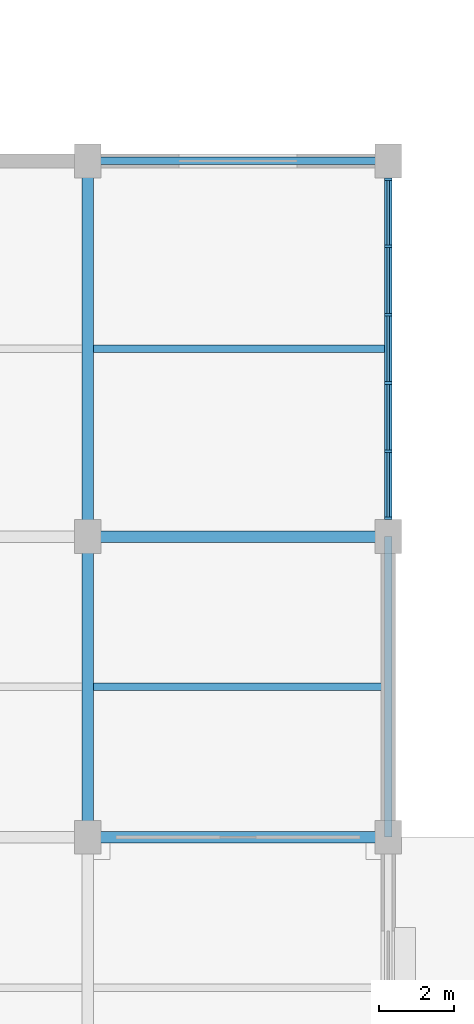
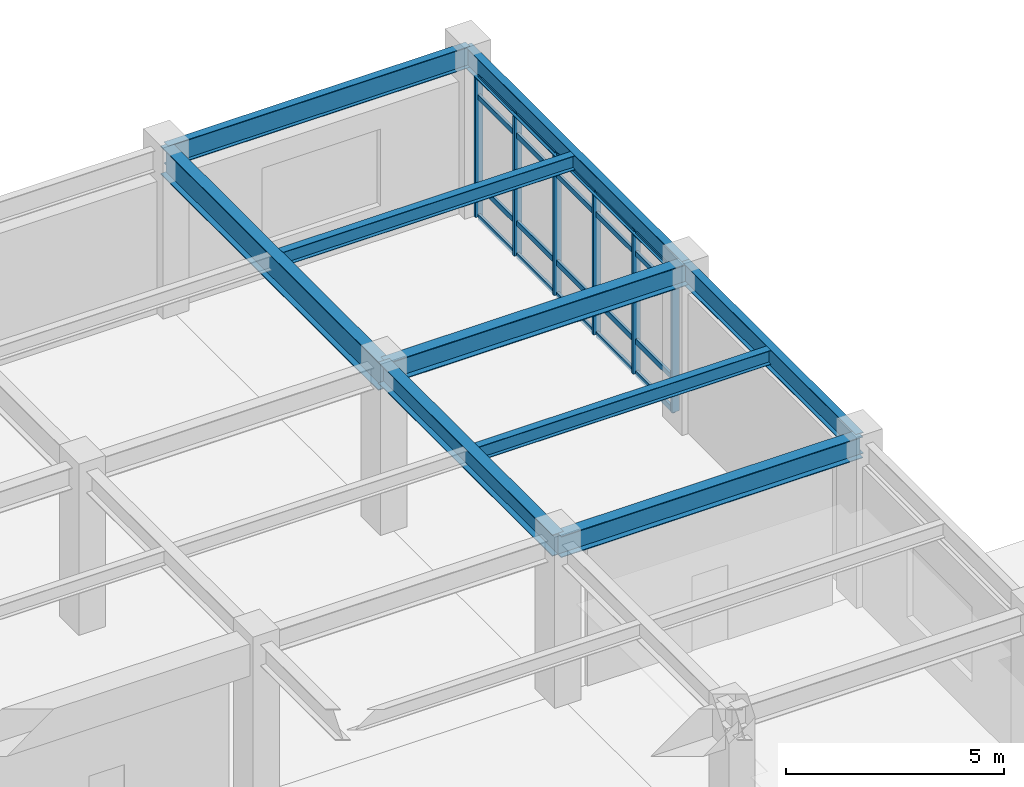
# One storey, part 55 of 117: 26 members, 9 beams, 1 element without a shape of its own.
"""IFC4 building model written with IfcOpenShell, lengths in metres."""

from ifc_helpers import new_model, si_unit, direction, frame, origin, origin_2d, place, context, subcontext, project, spatial, rectangle, i_section, extrude, material, layer, layer_set, material_profile, profile_set, type_object, element, aggregate, save


model = new_model("IFC4")

# Units and contexts
model_context = context("Model", 3, precision=1e-05, world=origin(), true_north=direction((0.0, 1.0)))
body_context = subcontext(model_context, "Body", "Model", "MODEL_VIEW")
ifc_project = project(units=[si_unit("LENGTHUNIT", "METRE"), si_unit("AREAUNIT", "SQUARE_METRE"), si_unit("VOLUMEUNIT", "CUBIC_METRE"), si_unit("PLANEANGLEUNIT", "RADIAN"), si_unit("MASSUNIT", "GRAM", prefix="KILO")], contexts=[model_context])

# Site, building, storey
site_placement = place(None, origin())
site = spatial("IfcSite", under=ifc_project, at=site_placement, CompositionType="ELEMENT")
building_placement = place(site_placement, origin())
building = spatial("IfcBuilding", under=site, at=building_placement, Name="Haebicheon Civic Stadium", CompositionType="ELEMENT")
storey_placement = place(building_placement, frame((0.0, 0.0, 4.800048828125)))
storey = spatial("IfcBuildingStorey", under=building, at=storey_placement, Name="L02", CompositionType="ELEMENT", Elevation=4.800048828125)

# Beams
ifc_material_1 = material(Name="Steel SM355 (S355)", Category="steel")
ifc_material_profile_1 = material_profile(ifc_material_1, i_section(OverallWidth=0.300048828125, OverallDepth=0.60009765625, WebThickness=0.011962890625, FlangeThickness=0.02001953125, at=origin_2d()), Name="H-600x300x12x20")
ifc_profile_set_1 = profile_set([ifc_material_profile_1], Name="Steel SM355 (S355)")
beam_type_1 = type_object("IfcBeamType", Name="BM-ST-H600A", PredefinedType="BEAM", material=ifc_profile_set_1)
for number, where, z_axis, x_axis, name in (
    (1, (192.0, 160.0, 4.219970703125), (0.0, 1.0, 0.0), (-1.0, 0.0, 0.0), "L02 girder 25/W-X"),
    (2, (192.0, 160.0, 4.219970703125), (1.0, 0.0, 0.0), (0.0, 1.0, 0.0), "L02 beam W/25-26"),
    (3, (192.0, 168.0, 4.219970703125), (1.0, 0.0, 0.0), (0.0, 1.0, 0.0), "L02 beam X/25-26"),
):
    element("IfcBeam", number, at=place(storey_placement, frame(where, z_axis=z_axis, x_axis=x_axis)), inside=storey, type_object=beam_type_1, material=ifc_profile_set_1, Name=name, PredefinedType="BEAM", context=body_context, shape_type="SweptSolid", body=[
        extrude(i_section(OverallWidth=0.300048828125, OverallDepth=0.60009765625, WebThickness=0.011962890625, FlangeThickness=0.02001953125, at=origin_2d()), origin(), (0.0, 0.0, 1.0), 8.0),
    ])
ifc_material_2 = material(Name="Steel SM490", Category="steel")
ifc_material_profile_2 = material_profile(ifc_material_2, i_section(OverallWidth=0.300048828125, OverallDepth=0.800048828125, WebThickness=0.013916015625, FlangeThickness=0.02587890625, at=origin_2d()), Name="H-800x300x14x26")
ifc_profile_set_2 = profile_set([ifc_material_profile_2], Name="Steel SM490")
beam_type_2 = type_object("IfcBeamType", Name="BM-ST-H800", PredefinedType="BEAM", material=ifc_profile_set_2)
beam_1_placement = place(storey_placement, frame((192.0, 168.0, 4.119873046875), z_axis=(0.0, 1.0, 0.0), x_axis=(-1.0, 0.0, 0.0)))
element("IfcBeam", 4, at=beam_1_placement, inside=storey, type_object=beam_type_2, material=ifc_profile_set_2, Name="L02 girder 25/X-Y", PredefinedType="BEAM", context=body_context, shape_type="SweptSolid", body=[
    extrude(i_section(OverallWidth=0.300048828125, OverallDepth=0.800048828125, WebThickness=0.013916015625, FlangeThickness=0.02587890625, at=origin_2d()), origin(), (0.0, 0.0, 1.0), 10.0),
])

# Curtain wall, members
ifc_material_3 = material(Name="Anodised aluminium and laminated glass", Category="aluminium")
ifc_layer = layer(ifc_material_3, 0.179931640625, Name="Anodised aluminium and laminated glass")
ifc_layer_set = layer_set([ifc_layer], Name="Anodised aluminium and laminated glass")
curtain_wall_type = type_object("IfcCurtainWallType", Name="CW-9100x3910", PredefinedType="NOTDEFINED", material=ifc_layer_set)
curtain_wall_placement = place(storey_placement, origin())
curtain_wall = element("IfcCurtainWall", 5, at=curtain_wall_placement, inside=storey, type_object=curtain_wall_type, material=ifc_layer_set, Name="L02 unitised curtain wall 062", PredefinedType="NOTDEFINED")
ifc_material_4 = material(Name="Anodised aluminium 6063-T6", Category="aluminium")
ifc_material_profile_3 = material_profile(ifc_material_4, rectangle(XDim=0.070068359375, YDim=0.199951171875, at=origin_2d()), Name="ALU-MULL-70x200")
ifc_profile_set_3 = profile_set([ifc_material_profile_3], Name="Anodised aluminium 6063-T6")
member_type_1 = type_object("IfcMemberType", Name="CWM-200x70", PredefinedType="MULLION", material=ifc_profile_set_3)
member_1_placement = place(storey_placement, frame((200.0, 168.485107421875, 0.0), z_axis=(0.0, 0.0, 1.0), x_axis=(0.0, 1.0, 0.0)))
member_1 = element("IfcMember", 6, at=member_1_placement, type_object=member_type_1, material=ifc_profile_set_3, Name="CW-L02-062 vertical mullion 1", PredefinedType="MULLION", context=body_context, shape_type="SweptSolid", body=[
    extrude(rectangle(XDim=0.070068359375, YDim=0.199951171875, at=origin_2d()), origin(), (0.0, 0.0, 1.0), 3.909912109375),
])
member_2_placement = place(storey_placement, frame((200.0, 170.27001953125, 0.0), z_axis=(0.0, 0.0, 1.0), x_axis=(0.0, 1.0, 0.0)))
member_2 = element("IfcMember", 7, at=member_2_placement, type_object=member_type_1, material=ifc_profile_set_3, Name="CW-L02-062 vertical mullion 2", PredefinedType="MULLION", context=body_context, shape_type="SweptSolid", body=[
    extrude(rectangle(XDim=0.070068359375, YDim=0.199951171875, at=origin_2d()), origin(), (0.0, 0.0, 1.0), 3.909912109375),
])
member_3_placement = place(storey_placement, frame((200.0, 172.090087890625, 0.0), z_axis=(0.0, 0.0, 1.0), x_axis=(0.0, 1.0, 0.0)))
member_3 = element("IfcMember", 8, at=member_3_placement, type_object=member_type_1, material=ifc_profile_set_3, Name="CW-L02-062 vertical mullion 3", PredefinedType="MULLION", context=body_context, shape_type="SweptSolid", body=[
    extrude(rectangle(XDim=0.070068359375, YDim=0.199951171875, at=origin_2d()), origin(), (0.0, 0.0, 1.0), 3.909912109375),
])
member_4_placement = place(storey_placement, frame((200.0, 173.909912109375, 0.0), z_axis=(0.0, 0.0, 1.0), x_axis=(0.0, 1.0, 0.0)))
member_4 = element("IfcMember", 9, at=member_4_placement, type_object=member_type_1, material=ifc_profile_set_3, Name="CW-L02-062 vertical mullion 4", PredefinedType="MULLION", context=body_context, shape_type="SweptSolid", body=[
    extrude(rectangle(XDim=0.070068359375, YDim=0.199951171875, at=origin_2d()), origin(), (0.0, 0.0, 1.0), 3.909912109375),
])
member_5_placement = place(storey_placement, frame((200.0, 175.72998046875, 0.0), z_axis=(0.0, 0.0, 1.0), x_axis=(0.0, 1.0, 0.0)))
member_5 = element("IfcMember", 10, at=member_5_placement, type_object=member_type_1, material=ifc_profile_set_3, Name="CW-L02-062 vertical mullion 5", PredefinedType="MULLION", context=body_context, shape_type="SweptSolid", body=[
    extrude(rectangle(XDim=0.070068359375, YDim=0.199951171875, at=origin_2d()), origin(), (0.0, 0.0, 1.0), 3.909912109375),
])
member_6_placement = place(storey_placement, frame((200.0, 177.514892578125, 0.0), z_axis=(0.0, 0.0, 1.0), x_axis=(0.0, 1.0, 0.0)))
member_6 = element("IfcMember", 11, at=member_6_placement, type_object=member_type_1, material=ifc_profile_set_3, Name="CW-L02-062 vertical mullion 6", PredefinedType="MULLION", context=body_context, shape_type="SweptSolid", body=[
    extrude(rectangle(XDim=0.070068359375, YDim=0.199951171875, at=origin_2d()), origin(), (0.0, 0.0, 1.0), 3.909912109375),
])
ifc_material_5 = material(Name="Anodised aluminium 6063-T6", Category="aluminium")
ifc_material_profile_4 = material_profile(ifc_material_5, rectangle(XDim=0.070068359375, YDim=0.14990234375, at=origin_2d()), Name="ALU-TRAN-70x150")
ifc_profile_set_4 = profile_set([ifc_material_profile_4], Name="Anodised aluminium 6063-T6")
member_type_2 = type_object("IfcMemberType", Name="CWT-150x70", PredefinedType="NOTDEFINED", material=ifc_profile_set_4)
member_7_placement = place(storey_placement, frame((200.0, 168.52001953125, 0.0), z_axis=(0.0, 1.0, 0.0), x_axis=(-1.0, 0.0, 0.0)))
member_7 = element("IfcMember", 12, at=member_7_placement, type_object=member_type_2, material=ifc_profile_set_4, Name="CW-L02-062 horizontal transom 1.1", ObjectType="TRANSOM", PredefinedType="USERDEFINED", context=body_context, shape_type="SweptSolid", body=[
    extrude(rectangle(XDim=0.070068359375, YDim=0.14990234375, at=origin_2d()), origin(), (0.0, 0.0, 1.0), 1.715087890625),
])
member_8_placement = place(storey_placement, frame((200.0, 168.52001953125, 0.89990234375), z_axis=(0.0, 1.0, 0.0), x_axis=(-1.0, 0.0, 0.0)))
member_8 = element("IfcMember", 13, at=member_8_placement, type_object=member_type_2, material=ifc_profile_set_4, Name="CW-L02-062 horizontal transom 1.2", ObjectType="TRANSOM", PredefinedType="USERDEFINED", context=body_context, shape_type="SweptSolid", body=[
    extrude(rectangle(XDim=0.070068359375, YDim=0.14990234375, at=origin_2d()), origin(), (0.0, 0.0, 1.0), 1.715087890625),
])
member_9_placement = place(storey_placement, frame((200.0, 168.52001953125, 3.35986328125), z_axis=(0.0, 1.0, 0.0), x_axis=(-1.0, 0.0, 0.0)))
member_9 = element("IfcMember", 14, at=member_9_placement, type_object=member_type_2, material=ifc_profile_set_4, Name="CW-L02-062 horizontal transom 1.3", ObjectType="TRANSOM", PredefinedType="USERDEFINED", context=body_context, shape_type="SweptSolid", body=[
    extrude(rectangle(XDim=0.070068359375, YDim=0.14990234375, at=origin_2d()), origin(), (0.0, 0.0, 1.0), 1.715087890625),
])
member_10_placement = place(storey_placement, frame((200.0, 168.52001953125, 3.909912109375), z_axis=(0.0, 1.0, 0.0), x_axis=(-1.0, 0.0, 0.0)))
member_10 = element("IfcMember", 15, at=member_10_placement, type_object=member_type_2, material=ifc_profile_set_4, Name="CW-L02-062 horizontal transom 1.4", ObjectType="TRANSOM", PredefinedType="USERDEFINED", context=body_context, shape_type="SweptSolid", body=[
    extrude(rectangle(XDim=0.070068359375, YDim=0.14990234375, at=origin_2d()), origin(), (0.0, 0.0, 1.0), 1.715087890625),
])
member_11_placement = place(storey_placement, frame((200.0, 170.304931640625, 0.0), z_axis=(0.0, 1.0, 0.0), x_axis=(-1.0, 0.0, 0.0)))
member_11 = element("IfcMember", 16, at=member_11_placement, type_object=member_type_2, material=ifc_profile_set_4, Name="CW-L02-062 horizontal transom 2.1", ObjectType="TRANSOM", PredefinedType="USERDEFINED", context=body_context, shape_type="SweptSolid", body=[
    extrude(rectangle(XDim=0.070068359375, YDim=0.14990234375, at=origin_2d()), origin(), (0.0, 0.0, 1.0), 1.75),
])
member_12_placement = place(storey_placement, frame((200.0, 170.304931640625, 0.89990234375), z_axis=(0.0, 1.0, 0.0), x_axis=(-1.0, 0.0, 0.0)))
member_12 = element("IfcMember", 17, at=member_12_placement, type_object=member_type_2, material=ifc_profile_set_4, Name="CW-L02-062 horizontal transom 2.2", ObjectType="TRANSOM", PredefinedType="USERDEFINED", context=body_context, shape_type="SweptSolid", body=[
    extrude(rectangle(XDim=0.070068359375, YDim=0.14990234375, at=origin_2d()), origin(), (0.0, 0.0, 1.0), 1.75),
])
member_13_placement = place(storey_placement, frame((200.0, 170.304931640625, 3.35986328125), z_axis=(0.0, 1.0, 0.0), x_axis=(-1.0, 0.0, 0.0)))
member_13 = element("IfcMember", 18, at=member_13_placement, type_object=member_type_2, material=ifc_profile_set_4, Name="CW-L02-062 horizontal transom 2.3", ObjectType="TRANSOM", PredefinedType="USERDEFINED", context=body_context, shape_type="SweptSolid", body=[
    extrude(rectangle(XDim=0.070068359375, YDim=0.14990234375, at=origin_2d()), origin(), (0.0, 0.0, 1.0), 1.75),
])
member_14_placement = place(storey_placement, frame((200.0, 170.304931640625, 3.909912109375), z_axis=(0.0, 1.0, 0.0), x_axis=(-1.0, 0.0, 0.0)))
member_14 = element("IfcMember", 19, at=member_14_placement, type_object=member_type_2, material=ifc_profile_set_4, Name="CW-L02-062 horizontal transom 2.4", ObjectType="TRANSOM", PredefinedType="USERDEFINED", context=body_context, shape_type="SweptSolid", body=[
    extrude(rectangle(XDim=0.070068359375, YDim=0.14990234375, at=origin_2d()), origin(), (0.0, 0.0, 1.0), 1.75),
])
member_15_placement = place(storey_placement, frame((200.0, 172.125, 0.0), z_axis=(0.0, 1.0, 0.0), x_axis=(-1.0, 0.0, 0.0)))
member_15 = element("IfcMember", 20, at=member_15_placement, type_object=member_type_2, material=ifc_profile_set_4, Name="CW-L02-062 horizontal transom 3.1", ObjectType="TRANSOM", PredefinedType="USERDEFINED", context=body_context, shape_type="SweptSolid", body=[
    extrude(rectangle(XDim=0.070068359375, YDim=0.14990234375, at=origin_2d()), origin(), (0.0, 0.0, 1.0), 1.75),
])
member_16_placement = place(storey_placement, frame((200.0, 172.125, 0.89990234375), z_axis=(0.0, 1.0, 0.0), x_axis=(-1.0, 0.0, 0.0)))
member_16 = element("IfcMember", 21, at=member_16_placement, type_object=member_type_2, material=ifc_profile_set_4, Name="CW-L02-062 horizontal transom 3.2", ObjectType="TRANSOM", PredefinedType="USERDEFINED", context=body_context, shape_type="SweptSolid", body=[
    extrude(rectangle(XDim=0.070068359375, YDim=0.14990234375, at=origin_2d()), origin(), (0.0, 0.0, 1.0), 1.75),
])
member_17_placement = place(storey_placement, frame((200.0, 172.125, 3.35986328125), z_axis=(0.0, 1.0, 0.0), x_axis=(-1.0, 0.0, 0.0)))
member_17 = element("IfcMember", 22, at=member_17_placement, type_object=member_type_2, material=ifc_profile_set_4, Name="CW-L02-062 horizontal transom 3.3", ObjectType="TRANSOM", PredefinedType="USERDEFINED", context=body_context, shape_type="SweptSolid", body=[
    extrude(rectangle(XDim=0.070068359375, YDim=0.14990234375, at=origin_2d()), origin(), (0.0, 0.0, 1.0), 1.75),
])
member_18_placement = place(storey_placement, frame((200.0, 172.125, 3.909912109375), z_axis=(0.0, 1.0, 0.0), x_axis=(-1.0, 0.0, 0.0)))
member_18 = element("IfcMember", 23, at=member_18_placement, type_object=member_type_2, material=ifc_profile_set_4, Name="CW-L02-062 horizontal transom 3.4", ObjectType="TRANSOM", PredefinedType="USERDEFINED", context=body_context, shape_type="SweptSolid", body=[
    extrude(rectangle(XDim=0.070068359375, YDim=0.14990234375, at=origin_2d()), origin(), (0.0, 0.0, 1.0), 1.75),
])
member_19_placement = place(storey_placement, frame((200.0, 173.945068359375, 0.0), z_axis=(0.0, 1.0, 0.0), x_axis=(-1.0, 0.0, 0.0)))
member_19 = element("IfcMember", 24, at=member_19_placement, type_object=member_type_2, material=ifc_profile_set_4, Name="CW-L02-062 horizontal transom 4.1", ObjectType="TRANSOM", PredefinedType="USERDEFINED", context=body_context, shape_type="SweptSolid", body=[
    extrude(rectangle(XDim=0.070068359375, YDim=0.14990234375, at=origin_2d()), origin(), (0.0, 0.0, 1.0), 1.75),
])
member_20_placement = place(storey_placement, frame((200.0, 173.945068359375, 0.89990234375), z_axis=(0.0, 1.0, 0.0), x_axis=(-1.0, 0.0, 0.0)))
member_20 = element("IfcMember", 25, at=member_20_placement, type_object=member_type_2, material=ifc_profile_set_4, Name="CW-L02-062 horizontal transom 4.2", ObjectType="TRANSOM", PredefinedType="USERDEFINED", context=body_context, shape_type="SweptSolid", body=[
    extrude(rectangle(XDim=0.070068359375, YDim=0.14990234375, at=origin_2d()), origin(), (0.0, 0.0, 1.0), 1.75),
])
member_21_placement = place(storey_placement, frame((200.0, 173.945068359375, 3.35986328125), z_axis=(0.0, 1.0, 0.0), x_axis=(-1.0, 0.0, 0.0)))
member_21 = element("IfcMember", 26, at=member_21_placement, type_object=member_type_2, material=ifc_profile_set_4, Name="CW-L02-062 horizontal transom 4.3", ObjectType="TRANSOM", PredefinedType="USERDEFINED", context=body_context, shape_type="SweptSolid", body=[
    extrude(rectangle(XDim=0.070068359375, YDim=0.14990234375, at=origin_2d()), origin(), (0.0, 0.0, 1.0), 1.75),
])
member_22_placement = place(storey_placement, frame((200.0, 173.945068359375, 3.909912109375), z_axis=(0.0, 1.0, 0.0), x_axis=(-1.0, 0.0, 0.0)))
member_22 = element("IfcMember", 27, at=member_22_placement, type_object=member_type_2, material=ifc_profile_set_4, Name="CW-L02-062 horizontal transom 4.4", ObjectType="TRANSOM", PredefinedType="USERDEFINED", context=body_context, shape_type="SweptSolid", body=[
    extrude(rectangle(XDim=0.070068359375, YDim=0.14990234375, at=origin_2d()), origin(), (0.0, 0.0, 1.0), 1.75),
])
member_23_placement = place(storey_placement, frame((200.0, 175.764892578125, 0.0), z_axis=(0.0, 1.0, 0.0), x_axis=(-1.0, 0.0, 0.0)))
member_23 = element("IfcMember", 28, at=member_23_placement, type_object=member_type_2, material=ifc_profile_set_4, Name="CW-L02-062 horizontal transom 5.1", ObjectType="TRANSOM", PredefinedType="USERDEFINED", context=body_context, shape_type="SweptSolid", body=[
    extrude(rectangle(XDim=0.070068359375, YDim=0.14990234375, at=origin_2d()), origin(), (0.0, 0.0, 1.0), 1.715087890625),
])
member_24_placement = place(storey_placement, frame((200.0, 175.764892578125, 0.89990234375), z_axis=(0.0, 1.0, 0.0), x_axis=(-1.0, 0.0, 0.0)))
member_24 = element("IfcMember", 29, at=member_24_placement, type_object=member_type_2, material=ifc_profile_set_4, Name="CW-L02-062 horizontal transom 5.2", ObjectType="TRANSOM", PredefinedType="USERDEFINED", context=body_context, shape_type="SweptSolid", body=[
    extrude(rectangle(XDim=0.070068359375, YDim=0.14990234375, at=origin_2d()), origin(), (0.0, 0.0, 1.0), 1.715087890625),
])
member_25_placement = place(storey_placement, frame((200.0, 175.764892578125, 3.35986328125), z_axis=(0.0, 1.0, 0.0), x_axis=(-1.0, 0.0, 0.0)))
member_25 = element("IfcMember", 30, at=member_25_placement, type_object=member_type_2, material=ifc_profile_set_4, Name="CW-L02-062 horizontal transom 5.3", ObjectType="TRANSOM", PredefinedType="USERDEFINED", context=body_context, shape_type="SweptSolid", body=[
    extrude(rectangle(XDim=0.070068359375, YDim=0.14990234375, at=origin_2d()), origin(), (0.0, 0.0, 1.0), 1.715087890625),
])
member_26_placement = place(storey_placement, frame((200.0, 175.764892578125, 3.909912109375), z_axis=(0.0, 1.0, 0.0), x_axis=(-1.0, 0.0, 0.0)))
member_26 = element("IfcMember", 31, at=member_26_placement, type_object=member_type_2, material=ifc_profile_set_4, Name="CW-L02-062 horizontal transom 5.4", ObjectType="TRANSOM", PredefinedType="USERDEFINED", context=body_context, shape_type="SweptSolid", body=[
    extrude(rectangle(XDim=0.070068359375, YDim=0.14990234375, at=origin_2d()), origin(), (0.0, 0.0, 1.0), 1.715087890625),
])
aggregate(curtain_wall, [member_1, member_2, member_3, member_4, member_5, member_6, member_7, member_8, member_9, member_10, member_11, member_12, member_13, member_14, member_15, member_16, member_17, member_18, member_19, member_20, member_21, member_22, member_23, member_24, member_25, member_26])

# Beams
ifc_material_6 = material(Name="Steel SM355 (S355)", Category="steel")
ifc_material_profile_5 = material_profile(ifc_material_6, i_section(OverallWidth=0.199951171875, OverallDepth=0.39990234375, WebThickness=0.008056640625, FlangeThickness=0.012939453125, at=origin_2d()), Name="H-400x200x8x13")
ifc_profile_set_5 = profile_set([ifc_material_profile_5], Name="Steel SM355 (S355)")
beam_type_3 = type_object("IfcBeamType", Name="JST-ST-H400", PredefinedType="JOIST", material=ifc_profile_set_5)
for number, where, z_axis, x_axis, name in (
    (32, (192.14990234375, 164.0, 4.320068359375), (1.0, 0.0, 0.0), (0.0, 1.0, 0.0), "L02 secondary joist 24-20"),
    (33, (192.14990234375, 173.0, 4.320068359375), (1.0, 0.0, 0.0), (0.0, 1.0, 0.0), "L02 secondary joist 24-21"),
):
    element("IfcBeam", number, at=place(storey_placement, frame(where, z_axis=z_axis, x_axis=x_axis)), inside=storey, type_object=beam_type_3, material=ifc_profile_set_5, Name=name, PredefinedType="JOIST", context=body_context, shape_type="SweptSolid", body=[
        extrude(i_section(OverallWidth=0.199951171875, OverallDepth=0.39990234375, WebThickness=0.008056640625, FlangeThickness=0.012939453125, at=origin_2d()), origin(), (0.0, 0.0, 1.0), 7.75),
    ])
ifc_material_7 = material(Name="Steel SM355 (S355)", Category="steel")
ifc_material_profile_6 = material_profile(ifc_material_7, i_section(OverallWidth=0.199951171875, OverallDepth=0.60009765625, WebThickness=0.010986328125, FlangeThickness=0.01708984375, at=origin_2d()), Name="H-600x200x11x17")
ifc_profile_set_6 = profile_set([ifc_material_profile_6], Name="Steel SM355 (S355)")
beam_type_4 = type_object("IfcBeamType", Name="SPD-ST-H600B", PredefinedType="SPANDREL", material=ifc_profile_set_6)
beam_2_placement = place(storey_placement, frame((200.0, 160.0, 4.219970703125), z_axis=(0.0, 1.0, 0.0), x_axis=(-1.0, 0.0, 0.0)))
element("IfcBeam", 34, at=beam_2_placement, inside=storey, type_object=beam_type_4, material=ifc_profile_set_6, Name="L02 girder 26/W-X", PredefinedType="SPANDREL", context=body_context, shape_type="SweptSolid", body=[
    extrude(i_section(OverallWidth=0.199951171875, OverallDepth=0.60009765625, WebThickness=0.010986328125, FlangeThickness=0.01708984375, at=origin_2d()), origin(), (0.0, 0.0, 1.0), 8.0),
])
beam_3_placement = place(storey_placement, frame((200.0, 168.0, 4.219970703125), z_axis=(0.0, 1.0, 0.0), x_axis=(-1.0, 0.0, 0.0)))
element("IfcBeam", 35, at=beam_3_placement, inside=storey, type_object=beam_type_4, material=ifc_profile_set_6, Name="L02 girder 26/X-Y", PredefinedType="SPANDREL", context=body_context, shape_type="SweptSolid", body=[
    extrude(i_section(OverallWidth=0.199951171875, OverallDepth=0.60009765625, WebThickness=0.010986328125, FlangeThickness=0.01708984375, at=origin_2d()), origin(), (0.0, 0.0, 1.0), 10.0),
])
beam_4_placement = place(storey_placement, frame((192.0, 178.0, 4.219970703125), z_axis=(1.0, 0.0, 0.0), x_axis=(0.0, 1.0, 0.0)))
element("IfcBeam", 36, at=beam_4_placement, inside=storey, type_object=beam_type_4, material=ifc_profile_set_6, Name="L02 beam Y/25-26", PredefinedType="SPANDREL", context=body_context, shape_type="SweptSolid", body=[
    extrude(i_section(OverallWidth=0.199951171875, OverallDepth=0.60009765625, WebThickness=0.010986328125, FlangeThickness=0.01708984375, at=origin_2d()), origin(), (0.0, 0.0, 1.0), 8.0),
])

save(model, "model.ifc")
